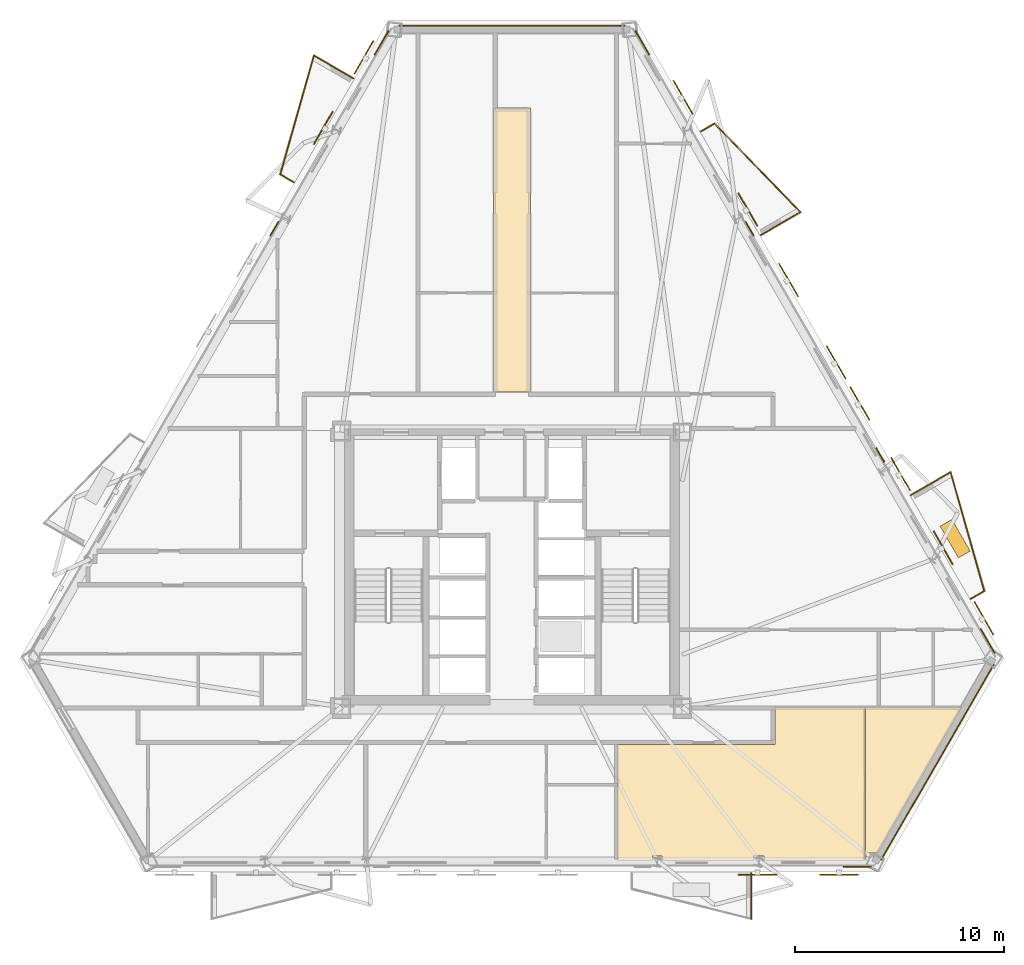
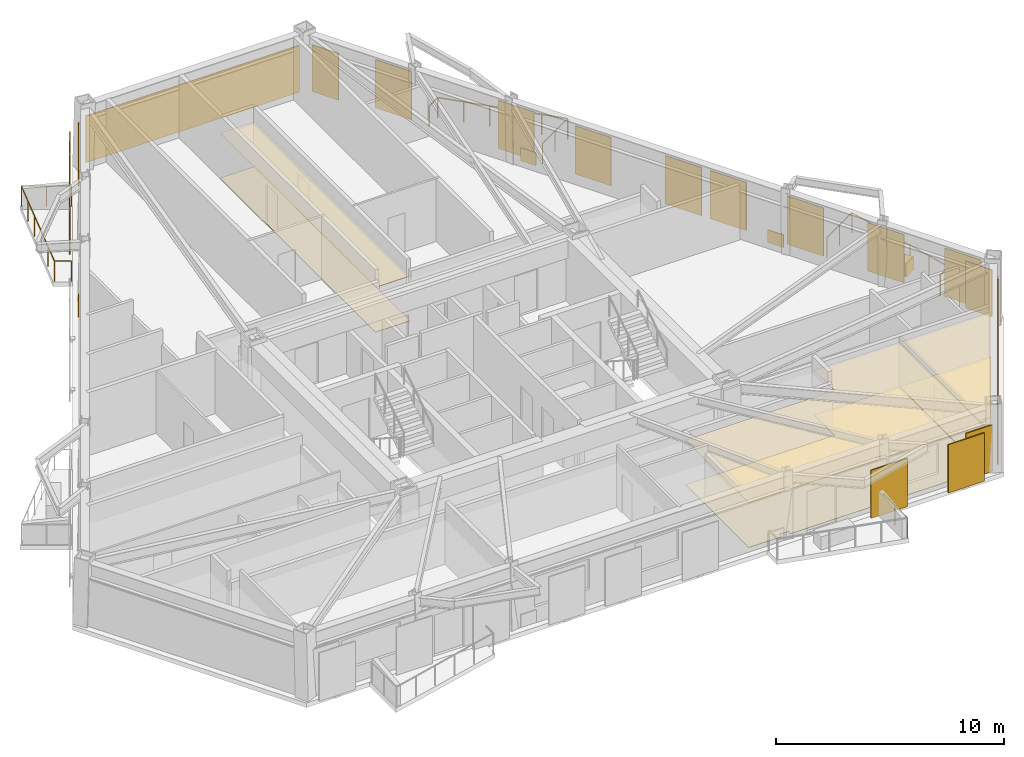
# One storey, part 10 of 11: 16 coverings, 12 shading devices, 10 railings.
"""IFC4 building model written with IfcOpenShell, lengths in metres."""

from ifc_helpers import new_model, si_unit, direction, frame, origin, origin_2d, place, context, subcontext, project, spatial, polyline, rectangle, circle, outline, extrude, material, layer, layer_set, type_object, element, save


model = new_model("IFC4")

# Units and contexts
model_context = context("Model", 3, precision=1e-05, world=origin(), true_north=direction((0.0, 1.0)))
body_context = subcontext(model_context, "Body", "Model", "MODEL_VIEW")
ifc_project = project(units=[si_unit("LENGTHUNIT", "METRE"), si_unit("AREAUNIT", "SQUARE_METRE"), si_unit("VOLUMEUNIT", "CUBIC_METRE"), si_unit("PLANEANGLEUNIT", "RADIAN"), si_unit("MASSUNIT", "GRAM", prefix="KILO")], contexts=[model_context])

# Site, building, storey
site_placement = place(None, origin())
site = spatial("IfcSite", under=ifc_project, at=site_placement, CompositionType="ELEMENT")
building_placement = place(site_placement, origin())
building = spatial("IfcBuilding", under=site, at=building_placement, Name="Oramaril Tower", CompositionType="ELEMENT")
storey_placement = place(building_placement, frame((0.0, 0.0, 112.199951171875)))
storey = spatial("IfcBuildingStorey", under=building, at=storey_placement, Name="L29", CompositionType="ELEMENT", Elevation=112.199951171875)

# Coverings
ifc_material_1 = material(Name="Mineral Fibre Acoustic Ceiling")
ifc_layer_1 = layer(ifc_material_1, 0.02001953125)
ifc_layer_set_1 = layer_set([ifc_layer_1], Name="CVT-CEIL")
covering_type_1 = type_object("IfcCoveringType", Name="CVT-CEIL", PredefinedType="CEILING", material=ifc_layer_set_1)
covering_1_placement = place(storey_placement, frame((0.0, 0.0, 2.400146484375)))
element("IfcCovering", 1, at=covering_1_placement, inside=storey, type_object=covering_type_1, Name="L29 Acoustic Suspended Ceiling 4", PredefinedType="CEILING", context=body_context, shape_type="SweptSolid", body=[
    extrude(outline(polyline([(38.3798828125, 26.070068359375), (36.6201171875, 26.070068359375), (36.6201171875, 39.679931640625), (38.3798828125, 39.679931640625), (38.3798828125, 26.070068359375)])), origin(), (0.0, 0.0, 1.0), 0.02001953125),
])
covering_2_placement = place(storey_placement, frame((0.0, 0.0, 2.400146484375)))
element("IfcCovering", 2, at=covering_2_placement, inside=storey, type_object=covering_type_1, Name="L29 Acoustic Suspended Ceiling 11", PredefinedType="CEILING", context=body_context, shape_type="SweptSolid", body=[
    extrude(outline(polyline([(54.40576171875, 10.991943359375), (54.40576171875, 3.652587890625), (49.56396484375, 3.652587890625), (49.56396484375, 3.852294921875), (49.092041015625, 3.852294921875), (49.092041015625, 3.652587890625), (44.688232421875, 3.652587890625), (44.688232421875, 3.852294921875), (44.22705078125, 3.852294921875), (44.22705078125, 3.652587890625), (42.56201171875, 3.652587890625), (42.56201171875, 7.314453125), (42.56201171875, 7.31640625), (42.5615234375, 7.318359375), (42.56103515625, 7.3203125), (42.560546875, 7.322265625), (42.5595703125, 7.323974609375), (42.559326171875, 7.324462890625), (42.5595703125, 7.3251953125), (42.560546875, 7.326904296875), (42.56103515625, 7.32861328125), (42.5615234375, 7.33056640625), (42.56201171875, 7.33251953125), (42.56201171875, 7.33447265625), (42.56201171875, 9.199951171875), (50.080078125, 9.199951171875), (50.08203125, 9.2001953125), (50.083984375, 9.200439453125), (50.085693359375, 9.200927734375), (50.087646484375, 9.201416015625), (50.08935546875, 9.202392578125), (50.091064453125, 9.203369140625), (50.0927734375, 9.20458984375), (50.093994140625, 9.205810546875), (50.095458984375, 9.207275390625), (50.0966796875, 9.208984375), (50.09765625, 9.210693359375), (50.098388671875, 9.21240234375), (50.09912109375, 9.214111328125), (50.099609375, 9.216064453125), (50.099853515625, 9.218017578125), (50.10009765625, 9.219970703125), (50.10009765625, 10.991943359375), (54.40576171875, 10.991943359375)])), origin(), (0.0, 0.0, 1.0), 0.02001953125),
])
covering_3_placement = place(storey_placement, frame((0.0, 0.0, 2.400146484375)))
element("IfcCovering", 3, at=covering_3_placement, inside=storey, type_object=covering_type_1, Name="L29 Acoustic Suspended Ceiling 12", PredefinedType="CEILING", context=body_context, shape_type="SweptSolid", body=[
    extrude(outline(polyline([(54.505126953125, 3.999267578125), (54.505126953125, 3.652587890625), (54.42578125, 3.652587890625), (54.42578125, 10.991943359375), (59.050048828125, 10.991943359375), (55.012939453125, 3.999267578125), (54.505126953125, 3.999267578125)])), origin(), (0.0, 0.0, 1.0), 0.02001953125),
])
ifc_material_2 = material(Name="Warm Cream Limestone", Category="masonry")
ifc_layer_2 = layer(ifc_material_2, 0.050048828125)
ifc_layer_set_2 = layer_set([ifc_layer_2], Name="CVT-CLD")
covering_type_2 = type_object("IfcCoveringType", Name="CVT-CLD", PredefinedType="CLADDING", material=ifc_layer_set_2)
covering_4_placement = place(storey_placement, frame((54.025146484375, 3.351806640625, 0.0400390625), z_axis=(0.0, 0.0, 1.0), x_axis=(1.0, 0.0, 0.0)))
element("IfcCovering", 4, at=covering_4_placement, inside=storey, type_object=covering_type_2, Name="L29 Warm Cream Limestone Cladding", PredefinedType="CLADDING", context=body_context, shape_type="SweptSolid", body=[
    extrude(rectangle(XDim=1.35009765625, YDim=0.050048828125, at=origin_2d()), origin(), (0.0, 0.0, 1.0), 2.498046875),
])
covering_5_placement = place(storey_placement, frame((57.8671875, 8.341064453125, 0.0400390625), z_axis=(0.0, 0.0, 1.0), x_axis=(0.4999984885, 0.866026276448, 0.0)))
element("IfcCovering", 5, at=covering_5_placement, inside=storey, type_object=covering_type_2, Name="L29 Warm Cream Limestone Cladding", PredefinedType="CLADDING", context=body_context, shape_type="SweptSolid", body=[
    extrude(rectangle(XDim=10.79931640625, YDim=0.050048828125, at=origin_2d()), origin(), (0.0, 0.0, 1.0), 2.498046875),
])
for number, where, z_axis, x_axis, name in (
    (6, (60.266845703125, 14.162841796875, 0.0400390625), (0.0, 0.0, 1.0), (-0.5, 0.866025403784, 0.0), "L29 Warm Cream Limestone Cladding"),
    (7, (43.74169921875, 42.785400390625, 0.0400390625), (0.0, 0.0, 1.0), (-0.5, 0.866025403784, 0.0), "L29 Warm Cream Limestone Cladding"),
):
    element("IfcCovering", number, at=place(storey_placement, frame(where, z_axis=z_axis, x_axis=x_axis)), inside=storey, type_object=covering_type_2, Name=name, PredefinedType="CLADDING", context=body_context, shape_type="SweptSolid", body=[
        extrude(rectangle(XDim=1.35009765625, YDim=0.050048828125, at=origin_2d()), origin(), (0.0, 0.0, 1.0), 2.498046875),
    ])
for number, where, z_axis, x_axis, name in (
    (8, (55.1318359375, 23.05712890625, 0.0400390625), (0.0, 0.0, 1.0), (-0.5, 0.866025403784, 0.0), "L29 Warm Cream Limestone Spandrel Cladding"),
    (9, (48.876953125, 33.89111328125, 0.0400390625), (0.0, 0.0, 1.0), (-0.5, 0.866025403784, 0.0), "L29 Warm Cream Limestone Spandrel Cladding"),
):
    element("IfcCovering", number, at=place(storey_placement, frame(where, z_axis=z_axis, x_axis=x_axis)), inside=storey, type_object=covering_type_2, Name=name, PredefinedType="CLADDING", context=body_context, shape_type="SweptSolid", body=[
        extrude(rectangle(XDim=0.800048828125, YDim=0.050048828125, at=origin_2d()), origin(), (0.0, 0.0, 1.0), 0.679931640625),
    ])
covering_6_placement = place(storey_placement, frame((37.5, 43.617919921875, 0.0400390625), z_axis=(0.0, 0.0, 1.0), x_axis=(-1.0, 0.0, 0.0)))
element("IfcCovering", 10, at=covering_6_placement, inside=storey, type_object=covering_type_2, Name="L29 Warm Cream Limestone Cladding", PredefinedType="CLADDING", context=body_context, shape_type="SweptSolid", body=[
    extrude(rectangle(XDim=10.79931640625, YDim=0.050048828125, at=origin_2d()), origin(), (0.0, 0.0, 1.0), 2.498046875),
])
covering_7_placement = place(storey_placement, frame((31.25830078125, 42.785400390625, 0.0400390625), z_axis=(0.0, 0.0, 1.0), x_axis=(-0.5, -0.866025403784, 0.0)))
element("IfcCovering", 11, at=covering_7_placement, inside=storey, type_object=covering_type_2, Name="L29 Warm Cream Limestone Cladding", PredefinedType="CLADDING", context=body_context, shape_type="SweptSolid", body=[
    extrude(rectangle(XDim=1.35009765625, YDim=0.050048828125, at=origin_2d()), origin(), (0.0, 0.0, 1.0), 2.498046875),
])
covering_8_placement = place(storey_placement, frame((26.123046875, 33.89111328125, 0.0400390625), z_axis=(0.0, 0.0, 1.0), x_axis=(-0.5, -0.866025403784, 0.0)))
element("IfcCovering", 12, at=covering_8_placement, inside=storey, type_object=covering_type_2, Name="L29 Warm Cream Limestone Spandrel Cladding", PredefinedType="CLADDING", context=body_context, shape_type="SweptSolid", body=[
    extrude(rectangle(XDim=0.800048828125, YDim=0.050048828125, at=origin_2d()), origin(), (0.0, 0.0, 1.0), 0.679931640625),
])
covering_9_placement = place(storey_placement, frame((58.718017578125, 19.052978515625, 0.0), z_axis=(0.0, 0.0, 1.0), x_axis=(-0.5, 0.866025403784, 0.0)))
element("IfcCovering", 13, at=covering_9_placement, inside=storey, type_object=covering_type_2, Name="L29 Structural Tree Planter Box L29-BAL-NE1", PredefinedType="CLADDING", context=body_context, shape_type="SweptSolid", body=[
    extrude(rectangle(XDim=1.75, YDim=0.64990234375, at=origin_2d()), origin(), (0.0, 0.0, 1.0), 0.699951171875),
])
ifc_material_3 = material(Name="Honed Quartzite Stone Flooring", Category="masonry")
ifc_layer_3 = layer(ifc_material_3, 0.02490234375)
ifc_layer_set_3 = layer_set([ifc_layer_3], Name="CVT-FLR")
covering_type_3 = type_object("IfcCoveringType", Name="CVT-FLR", PredefinedType="FLOORING", material=ifc_layer_set_3)
covering_10_placement = place(storey_placement, origin())
element("IfcCovering", 14, at=covering_10_placement, inside=storey, type_object=covering_type_3, Name="L29 Honed Stone Floor Finish 4", PredefinedType="FLOORING", context=body_context, shape_type="SweptSolid", body=[
    extrude(outline(polyline([(38.3798828125, 26.070068359375), (36.6201171875, 26.070068359375), (36.6201171875, 39.679931640625), (38.3798828125, 39.679931640625), (38.3798828125, 26.070068359375)])), origin(), (0.0, 0.0, 1.0), 0.025146484375),
])
covering_11_placement = place(storey_placement, origin())
element("IfcCovering", 15, at=covering_11_placement, inside=storey, type_object=covering_type_3, Name="L29 Honed Stone Floor Finish 11", PredefinedType="FLOORING", context=body_context, shape_type="SweptSolid", body=[
    extrude(outline(polyline([(54.40576171875, 10.991943359375), (54.40576171875, 3.652587890625), (49.56396484375, 3.652587890625), (49.56396484375, 3.852294921875), (49.092041015625, 3.852294921875), (49.092041015625, 3.652587890625), (44.688232421875, 3.652587890625), (44.688232421875, 3.852294921875), (44.22705078125, 3.852294921875), (44.22705078125, 3.652587890625), (42.56201171875, 3.652587890625), (42.56201171875, 7.314453125), (42.56201171875, 7.31640625), (42.5615234375, 7.318359375), (42.56103515625, 7.3203125), (42.560546875, 7.322265625), (42.5595703125, 7.323974609375), (42.559326171875, 7.324462890625), (42.5595703125, 7.3251953125), (42.560546875, 7.326904296875), (42.56103515625, 7.32861328125), (42.5615234375, 7.33056640625), (42.56201171875, 7.33251953125), (42.56201171875, 7.33447265625), (42.56201171875, 9.199951171875), (50.080078125, 9.199951171875), (50.08203125, 9.2001953125), (50.083984375, 9.200439453125), (50.085693359375, 9.200927734375), (50.087646484375, 9.201416015625), (50.08935546875, 9.202392578125), (50.091064453125, 9.203369140625), (50.0927734375, 9.20458984375), (50.093994140625, 9.205810546875), (50.095458984375, 9.207275390625), (50.0966796875, 9.208984375), (50.09765625, 9.210693359375), (50.098388671875, 9.21240234375), (50.09912109375, 9.214111328125), (50.099609375, 9.216064453125), (50.099853515625, 9.218017578125), (50.10009765625, 9.219970703125), (50.10009765625, 10.991943359375), (54.40576171875, 10.991943359375)])), origin(), (0.0, 0.0, 1.0), 0.025146484375),
])
covering_12_placement = place(storey_placement, origin())
element("IfcCovering", 16, at=covering_12_placement, inside=storey, type_object=covering_type_3, Name="L29 Honed Stone Floor Finish 12", PredefinedType="FLOORING", context=body_context, shape_type="SweptSolid", body=[
    extrude(outline(polyline([(54.505126953125, 3.999267578125), (54.505126953125, 3.652587890625), (54.42578125, 3.652587890625), (54.42578125, 10.991943359375), (59.050048828125, 10.991943359375), (55.012939453125, 3.999267578125), (54.505126953125, 3.999267578125)])), origin(), (0.0, 0.0, 1.0), 0.025146484375),
])

# Railings
ifc_material_4 = material(Name="Stainless Steel 316L", Category="steel")
railing_type = type_object("IfcRailingType", Name="RLT-GRD", PredefinedType="GUARDRAIL", material=ifc_material_4)
railing_1_placement = place(storey_placement, frame((48.955810546875, 3.03662109375, 0.0)))
element("IfcRailing", 17, at=railing_1_placement, inside=storey, type_object=railing_type, Name="L29 Balcony Guardrail L29-BAL-S2.1", PredefinedType="GUARDRAIL", context=body_context, shape_type="SweptSolid", body=[
    extrude(circle(Radius=0.02392578125, at=origin_2d()), frame((0.0, 0.0, 1.076171875), z_axis=(0.0, -1.0, 0.0), x_axis=(1.0, 0.0, 0.0)), (0.0, 0.0, 1.0), 2.19189453125),
    extrude(circle(Radius=0.02099609375, at=origin_2d()), origin(), (0.0, 0.0, 1.0), 1.052001953125),
    extrude(circle(Radius=0.02099609375, at=origin_2d()), frame((0.0, -1.095947265625, 0.0)), (0.0, 0.0, 1.0), 1.052001953125),
    extrude(circle(Radius=0.02099609375, at=origin_2d()), frame((0.0, -2.19189453125, 0.0)), (0.0, 0.0, 1.0), 1.052001953125),
])
railing_2_placement = place(storey_placement, frame((56.6025390625, 21.139892578125, 0.0)))
element("IfcRailing", 18, at=railing_2_placement, inside=storey, type_object=railing_type, Name="L29 Balcony Guardrail L29-BAL-NE1.1", PredefinedType="GUARDRAIL", context=body_context, shape_type="SweptSolid", body=[
    extrude(circle(Radius=0.02392578125, at=origin_2d()), frame((0.0, 0.0, 1.076171875), z_axis=(0.866048343933, 0.499960264392, 0.0), x_axis=(-0.499960264392, 0.866048343933, 0.0)), (0.0, 0.0, 1.0), 2.192138671875),
    extrude(circle(Radius=0.02099609375, at=origin_2d()), origin(), (0.0, 0.0, 1.0), 1.052001953125),
    extrude(circle(Radius=0.02099609375, at=origin_2d()), frame((0.94921875, 0.5478515625, 0.0)), (0.0, 0.0, 1.0), 1.052001953125),
    extrude(circle(Radius=0.02099609375, at=origin_2d()), frame((1.8984375, 1.095947265625, 0.0)), (0.0, 0.0, 1.0), 1.052001953125),
])
railing_3_placement = place(storey_placement, frame((58.5009765625, 22.23583984375, 0.0)))
element("IfcRailing", 19, at=railing_3_placement, inside=storey, type_object=railing_type, Name="L29 Balcony Guardrail L29-BAL-NE1.2", PredefinedType="GUARDRAIL", context=body_context, shape_type="SweptSolid", body=[
    extrude(circle(Radius=0.02392578125, at=origin_2d()), frame((0.0, 0.0, 1.076171875), z_axis=(0.27224886544, -0.962226873074, 0.0), x_axis=(0.962226873074, 0.27224886544, 0.0)), (0.0, 0.0, 1.0), 5.910400390625),
    extrude(circle(Radius=0.02099609375, at=origin_2d()), origin(), (0.0, 0.0, 1.0), 1.052001953125),
    extrude(circle(Radius=0.02099609375, at=origin_2d()), frame((0.32177734375, -1.137451171875, 0.0)), (0.0, 0.0, 1.0), 1.052001953125),
    extrude(circle(Radius=0.02099609375, at=origin_2d()), frame((0.6435546875, -2.27490234375, 0.0)), (0.0, 0.0, 1.0), 1.052001953125),
    extrude(circle(Radius=0.02099609375, at=origin_2d()), frame((0.965576171875, -3.412353515625, 0.0)), (0.0, 0.0, 1.0), 1.052001953125),
    extrude(circle(Radius=0.02099609375, at=origin_2d()), frame((1.287353515625, -4.5498046875, 0.0)), (0.0, 0.0, 1.0), 1.052001953125),
    extrude(circle(Radius=0.02099609375, at=origin_2d()), frame((1.609130859375, -5.687255859375, 0.0)), (0.0, 0.0, 1.0), 1.052001953125),
])
railing_4_placement = place(storey_placement, frame((60.110107421875, 16.548583984375, 0.0)))
element("IfcRailing", 20, at=railing_4_placement, inside=storey, type_object=railing_type, Name="L29 Balcony Guardrail L29-BAL-NE1.3", PredefinedType="GUARDRAIL", context=body_context, shape_type="SweptSolid", body=[
    extrude(circle(Radius=0.02392578125, at=origin_2d()), frame((0.0, 0.0, 1.076171875), z_axis=(-0.865966403178, -0.500102178127, 0.0), x_axis=(0.500102178127, -0.865966403178, 0.0)), (0.0, 0.0, 1.0), 0.741943359375),
    extrude(circle(Radius=0.02099609375, at=origin_2d()), origin(), (0.0, 0.0, 1.0), 1.052001953125),
    extrude(circle(Radius=0.02099609375, at=origin_2d()), frame((-0.642578125, -0.37109375, 0.0)), (0.0, 0.0, 1.0), 1.052001953125),
])
railing_5_placement = place(storey_placement, frame((46.54931640625, 38.552490234375, 0.0)))
element("IfcRailing", 21, at=railing_5_placement, inside=storey, type_object=railing_type, Name="L29 Balcony Guardrail L29-BAL-NE2.1", PredefinedType="GUARDRAIL", context=body_context, shape_type="SweptSolid", body=[
    extrude(circle(Radius=0.02392578125, at=origin_2d()), frame((0.0, 0.0, 1.076171875), z_axis=(0.865966403178, 0.500102178127, 0.0), x_axis=(-0.500102178127, 0.865966403178, 0.0)), (0.0, 0.0, 1.0), 0.741943359375),
    extrude(circle(Radius=0.02099609375, at=origin_2d()), origin(), (0.0, 0.0, 1.0), 1.052001953125),
    extrude(circle(Radius=0.02099609375, at=origin_2d()), frame((0.642578125, 0.37109375, 0.0)), (0.0, 0.0, 1.0), 1.052001953125),
])
railing_6_placement = place(storey_placement, frame((47.19189453125, 38.923583984375, 0.0)))
element("IfcRailing", 22, at=railing_6_placement, inside=storey, type_object=railing_type, Name="L29 Balcony Guardrail L29-BAL-NE2.2", PredefinedType="GUARDRAIL", context=body_context, shape_type="SweptSolid", body=[
    extrude(circle(Radius=0.02392578125, at=origin_2d()), frame((0.0, 0.0, 1.076171875), z_axis=(0.697186915353, -0.716889395277, 0.0), x_axis=(0.716889395277, 0.697186915353, 0.0)), (0.0, 0.0, 1.0), 5.91064453125),
    extrude(circle(Radius=0.02099609375, at=origin_2d()), origin(), (0.0, 0.0, 1.0), 1.052001953125),
    extrude(circle(Radius=0.02099609375, at=origin_2d()), frame((0.82421875, -0.847412109375, 0.0)), (0.0, 0.0, 1.0), 1.052001953125),
    extrude(circle(Radius=0.02099609375, at=origin_2d()), frame((1.6484375, -1.69482421875, 0.0)), (0.0, 0.0, 1.0), 1.052001953125),
    extrude(circle(Radius=0.02099609375, at=origin_2d()), frame((2.472412109375, -2.54248046875, 0.0)), (0.0, 0.0, 1.0), 1.052001953125),
    extrude(circle(Radius=0.02099609375, at=origin_2d()), frame((3.296630859375, -3.389892578125, 0.0)), (0.0, 0.0, 1.0), 1.052001953125),
    extrude(circle(Radius=0.02099609375, at=origin_2d()), frame((4.120849609375, -4.2373046875, 0.0)), (0.0, 0.0, 1.0), 1.052001953125),
])
railing_7_placement = place(storey_placement, frame((51.312744140625, 34.686279296875, 0.0)))
element("IfcRailing", 23, at=railing_7_placement, inside=storey, type_object=railing_type, Name="L29 Balcony Guardrail L29-BAL-NE2.3", PredefinedType="GUARDRAIL", context=body_context, shape_type="SweptSolid", body=[
    extrude(circle(Radius=0.02392578125, at=origin_2d()), frame((0.0, 0.0, 1.076171875), z_axis=(-0.866000118559, -0.500043792738, 0.0), x_axis=(0.500043792738, -0.866000118559, 0.0)), (0.0, 0.0, 1.0), 2.192138671875),
    extrude(circle(Radius=0.02099609375, at=origin_2d()), origin(), (0.0, 0.0, 1.0), 1.052001953125),
    extrude(circle(Radius=0.02099609375, at=origin_2d()), frame((-0.94921875, -0.548095703125, 0.0)), (0.0, 0.0, 1.0), 1.052001953125),
    extrude(circle(Radius=0.02099609375, at=origin_2d()), frame((-1.8984375, -1.09619140625, 0.0)), (0.0, 0.0, 1.0), 1.052001953125),
])
railing_8_placement = place(storey_placement, frame((27.048095703125, 36.123291015625, 0.0)))
element("IfcRailing", 24, at=railing_8_placement, inside=storey, type_object=railing_type, Name="L29 Balcony Guardrail L29-BAL-NW1.1", PredefinedType="GUARDRAIL", context=body_context, shape_type="SweptSolid", body=[
    extrude(circle(Radius=0.02392578125, at=origin_2d()), frame((0.0, 0.0, 1.076171875), z_axis=(-0.865966403178, 0.500102178127, 0.0), x_axis=(-0.500102178127, -0.865966403178, 0.0)), (0.0, 0.0, 1.0), 0.741943359375),
    extrude(circle(Radius=0.02099609375, at=origin_2d()), origin(), (0.0, 0.0, 1.0), 1.052001953125),
    extrude(circle(Radius=0.02099609375, at=origin_2d()), frame((-0.642578125, 0.37109375, 0.0)), (0.0, 0.0, 1.0), 1.052001953125),
])
railing_9_placement = place(storey_placement, frame((26.405517578125, 36.494384765625, 0.0)))
element("IfcRailing", 25, at=railing_9_placement, inside=storey, type_object=railing_type, Name="L29 Balcony Guardrail L29-BAL-NW1.2", PredefinedType="GUARDRAIL", context=body_context, shape_type="SweptSolid", body=[
    extrude(circle(Radius=0.02392578125, at=origin_2d()), frame((0.0, 0.0, 1.076171875), z_axis=(0.272287109361, 0.962216051662, 0.0), x_axis=(-0.962216051662, 0.272287109361, 0.0)), (0.0, 0.0, 1.0), 5.91064453125),
    extrude(circle(Radius=0.02099609375, at=origin_2d()), origin(), (0.0, 0.0, 1.0), 1.052001953125),
    extrude(circle(Radius=0.02099609375, at=origin_2d()), frame((0.32177734375, 1.137451171875, 0.0)), (0.0, 0.0, 1.0), 1.052001953125),
    extrude(circle(Radius=0.02099609375, at=origin_2d()), frame((0.643798828125, 2.27490234375, 0.0)), (0.0, 0.0, 1.0), 1.052001953125),
    extrude(circle(Radius=0.02099609375, at=origin_2d()), frame((0.965576171875, 3.412353515625, 0.0)), (0.0, 0.0, 1.0), 1.052001953125),
    extrude(circle(Radius=0.02099609375, at=origin_2d()), frame((1.28759765625, 4.5498046875, 0.0)), (0.0, 0.0, 1.0), 1.052001953125),
    extrude(circle(Radius=0.02099609375, at=origin_2d()), frame((1.609375, 5.687255859375, 0.0)), (0.0, 0.0, 1.0), 1.052001953125),
])
railing_10_placement = place(storey_placement, frame((28.014892578125, 42.181640625, 0.0)))
element("IfcRailing", 26, at=railing_10_placement, inside=storey, type_object=railing_type, Name="L29 Balcony Guardrail L29-BAL-NW1.3", PredefinedType="GUARDRAIL", context=body_context, shape_type="SweptSolid", body=[
    extrude(circle(Radius=0.02392578125, at=origin_2d()), frame((0.0, 0.0, 1.076171875), z_axis=(0.866020500697, -0.5000084923, 0.0), x_axis=(0.5000084923, 0.866020500697, 0.0)), (0.0, 0.0, 1.0), 2.19189453125),
    extrude(circle(Radius=0.02099609375, at=origin_2d()), origin(), (0.0, 0.0, 1.0), 1.052001953125),
    extrude(circle(Radius=0.02099609375, at=origin_2d()), frame((0.94921875, -0.5478515625, 0.0)), (0.0, 0.0, 1.0), 1.052001953125),
    extrude(circle(Radius=0.02099609375, at=origin_2d()), frame((1.898193359375, -1.095947265625, 0.0)), (0.0, 0.0, 1.0), 1.052001953125),
])

# Shading devices
for number, where, z_axis, x_axis, name in (
    (27, (49.255859375, 2.964599609375, -0.02001953125), (0.0, 0.0, 1.0), (1.0, 0.0, 0.0), "L29 Perforated Ceramic Solar Screen"),
    (28, (53.15576171875, 2.964599609375, -0.02001953125), (0.0, 0.0, 1.0), (1.0, 0.0, 0.0), "L29 Perforated Ceramic Solar Screen"),
    (29, (60.091796875, 15.240234375, -0.02001953125), (0.0, 0.0, 1.0), (-0.5, 0.866025403784, 0.0), "L29 Perforated Ceramic Solar Screen"),
    (30, (58.141845703125, 18.61767578125, -0.02001953125), (0.0, 0.0, 1.0), (-0.5, 0.866025403784, 0.0), "L29 Perforated Ceramic Solar Screen"),
    (31, (56.105712890625, 22.144287109375, -0.02001953125), (0.0, 0.0, 1.0), (-0.5, 0.866025403784, 0.0), "L29 Perforated Ceramic Solar Screen"),
    (32, (54.15576171875, 25.52197265625, -0.02001953125), (0.0, 0.0, 1.0), (-0.5, 0.866025403784, 0.0), "L29 Perforated Ceramic Solar Screen"),
    (33, (53.0205078125, 27.48779296875, -0.02001953125), (0.0, 0.0, 1.0), (-0.5, 0.866025403784, 0.0), "L29 Perforated Ceramic Solar Screen"),
    (34, (50.739990234375, 31.43798828125, -0.02001953125), (0.0, 0.0, 1.0), (-0.5, 0.866025403784, 0.0), "L29 Perforated Ceramic Solar Screen"),
    (35, (48.7900390625, 34.8154296875, -0.02001953125), (0.0, 0.0, 1.0), (-0.5, 0.866025403784, 0.0), "L29 Perforated Ceramic Solar Screen"),
    (36, (45.68798828125, 40.1884765625, -0.02001953125), (0.0, 0.0, 1.0), (-0.5, 0.866025403784, 0.0), "L29 Perforated Ceramic Solar Screen"),
    (37, (30.4140625, 42.09716796875, -0.02001953125), (0.0, 0.0, 1.0), (-0.5, -0.866025403784, 0.0), "L29 Perforated Ceramic Solar Screen"),
    (38, (28.464111328125, 38.719482421875, -0.02001953125), (0.0, 0.0, 1.0), (-0.5, -0.866025403784, 0.0), "L29 Perforated Ceramic Solar Screen"),
):
    element("IfcShadingDevice", number, at=place(storey_placement, frame(where, z_axis=z_axis, x_axis=x_axis)), inside=storey, Name=name, ObjectType="SCREEN", PredefinedType="USERDEFINED", context=body_context, shape_type="SweptSolid", body=[
        extrude(rectangle(XDim=1.8330078125, YDim=0.050048828125, at=origin_2d()), origin(), (0.0, 0.0, 1.0), 2.577880859375),
    ])

save(model, "model.ifc")
